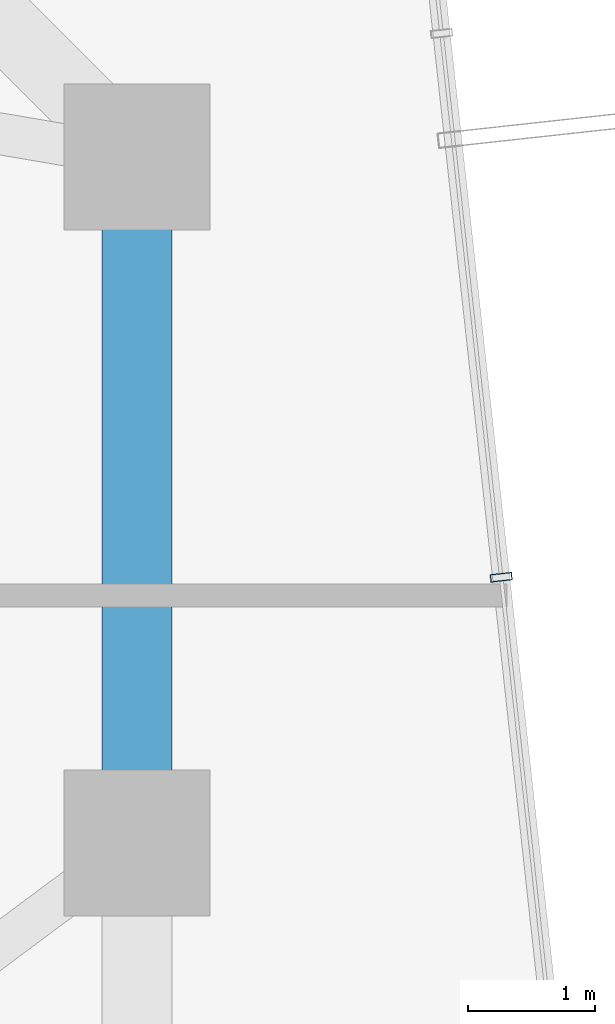
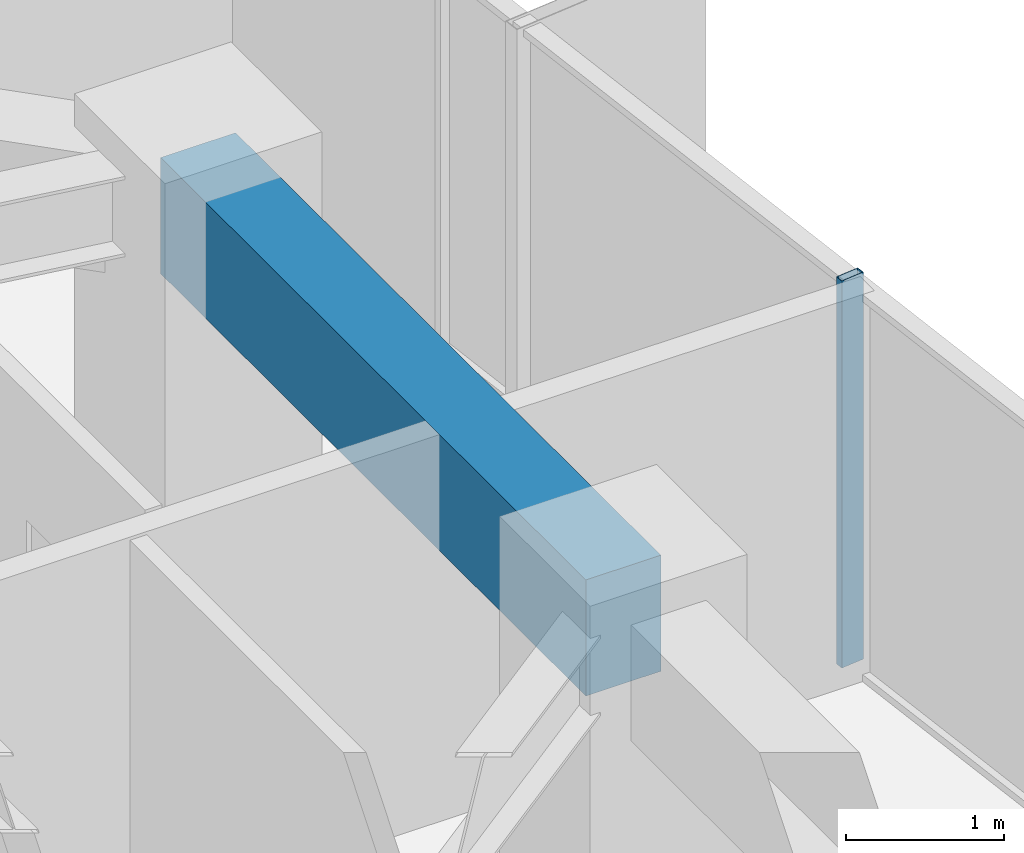
# One storey, part 16 of 34: 1 beam, 1 member, 1 element without a shape of its own.
"""IFC4 building model written with IfcOpenShell, lengths in metres."""

from ifc_helpers import new_model, si_unit, direction, frame, origin, origin_2d, place, context, subcontext, project, spatial, rectangle, hollow_rectangle, extrude, source, transform, mapped, material, layer, layer_set, material_profile, profile_set, type_object, element, aggregate, save


model = new_model("IFC4")

# Units and contexts
model_context = context("Model", 3, precision=1e-05, world=origin(), true_north=direction((0.0, 1.0)))
body_context = subcontext(model_context, "Body", "Model", "MODEL_VIEW")
ifc_project = project(units=[si_unit("LENGTHUNIT", "METRE"), si_unit("AREAUNIT", "SQUARE_METRE"), si_unit("VOLUMEUNIT", "CUBIC_METRE"), si_unit("PLANEANGLEUNIT", "RADIAN"), si_unit("MASSUNIT", "GRAM", prefix="KILO")], contexts=[model_context])

# Site, building, storey
site_placement = place(None, origin())
site = spatial("IfcSite", under=ifc_project, at=site_placement, CompositionType="ELEMENT")
building_placement = place(site_placement, origin())
building = spatial("IfcBuilding", under=site, at=building_placement, Name="Veraguas Prism Commons", CompositionType="ELEMENT")
storey_placement = place(building_placement, frame((0.0, 0.0, 149.0)))
storey = spatial("IfcBuildingStorey", under=building, at=storey_placement, Name="L42", CompositionType="ELEMENT", Elevation=149.0)

# Beam
ifc_material_1 = material(Name="Concrete C50/60", Category="concrete")
ifc_material_profile_1 = material_profile(ifc_material_1, rectangle(XDim=0.550048828125, YDim=0.89990234375, at=origin_2d()), Name="RC550X900")
ifc_profile_set_1 = profile_set([ifc_material_profile_1], Name="Concrete C50/60")
beam_type = type_object("IfcBeamType", Name="Perimeter Spandrel Lower RC 550x900", PredefinedType="SPANDREL", material=ifc_profile_set_1)
beam_placement = place(storey_placement, frame((40.199951171875, 24.0, 2.550048828125), z_axis=(0.0, 1.0, 0.0), x_axis=(-1.0, 0.0, 0.0)))
element("IfcBeam", 1, at=beam_placement, inside=storey, type_object=beam_type, Name="Perimeter Spandrel Beam L42-SP02", PredefinedType="SPANDREL", context=body_context, shape_type="SweptSolid", body=[
    extrude(rectangle(XDim=0.550048828125, YDim=0.89990234375, at=origin_2d()), origin(), (0.0, 0.0, 1.0), 5.39990234375),
])

# Curtain wall, member
ifc_material_2 = material(Name="Anodised aluminium EN AW-6063 T6", Category="aluminium")
ifc_layer = layer(ifc_material_2, 0.169921875, Name="Unitised Flush Curtain Wall Zone 2", Category="aluminium")
ifc_layer_set = layer_set([ifc_layer], Name="Anodised aluminium EN AW-6063 T6")
curtain_wall_type = type_object("IfcCurtainWallType", Name="Unitised Flush Curtain Wall Zone 2", PredefinedType="NOTDEFINED", material=ifc_layer_set)
curtain_wall_placement = place(storey_placement, origin())
curtain_wall = element("IfcCurtainWall", 2, at=curtain_wall_placement, inside=storey, type_object=curtain_wall_type, Name="Tower Facade Curtain Wall L42-F6", PredefinedType="NOTDEFINED")
ifc_material_profile_2 = material_profile(ifc_material_2, hollow_rectangle(XDim=0.06005859375, YDim=0.169921875, WallThickness=0.00390625, at=origin_2d()), Name="AL60X170X4")
ifc_profile_set_2 = profile_set([ifc_material_profile_2], Name="Anodised aluminium EN AW-6063 T6")
member_type = type_object("IfcMemberType", Name="Curtain Wall Mullion Lower AL 60x170x4", PredefinedType="MULLION", material=ifc_profile_set_2)
shared_shape = source(origin(), body_context, "Body", "SweptSolid", [
    extrude(hollow_rectangle(XDim=0.06005859375, YDim=0.169921875, WallThickness=0.00390625, at=origin_2d()), origin(), (0.0, 0.0, 1.0), 3.0),
])
member_placement = place(storey_placement, frame((43.068115234375, 26.091552734375, 0.0), z_axis=(0.0, 0.0, 1.0), x_axis=(-0.109043838598, 0.994036941599, 0.0)))
member = element("IfcMember", 3, at=member_placement, type_object=member_type, Name="CW-Z2 Mullion 3", PredefinedType="MULLION", context=body_context, shape_type="MappedRepresentation", body=[
    mapped(shared_shape, transform((0.0, 0.0, 0.0), scale=1.0)),
])
aggregate(curtain_wall, [member])

save(model, "model.ifc")
